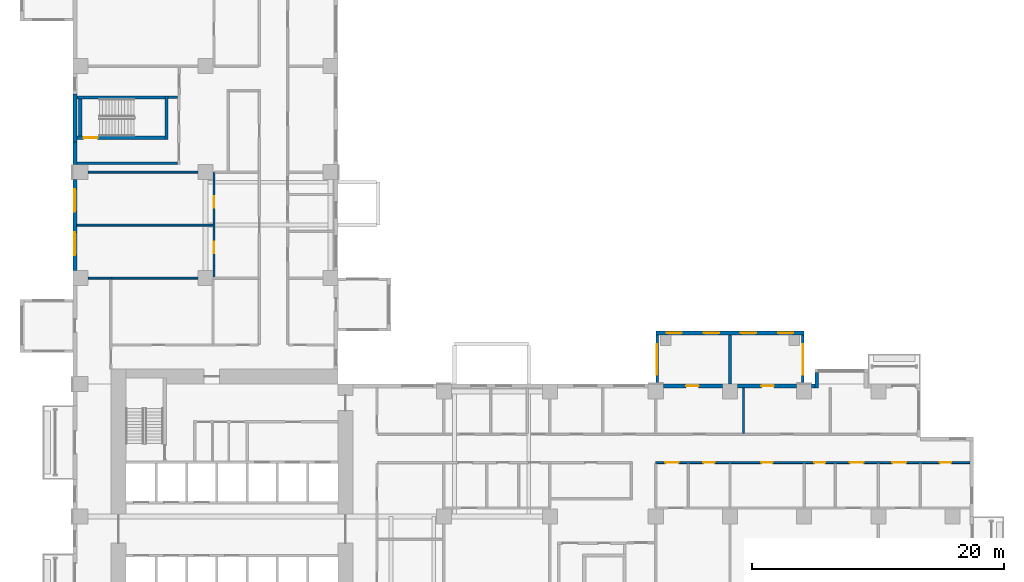
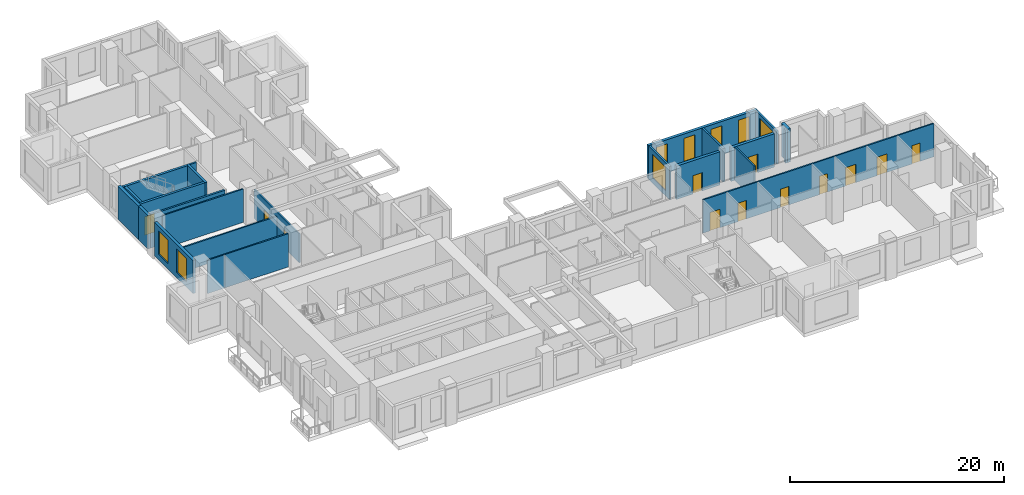
# One storey, part 6 of 15: 24 walls, 12 doors, 8 windows, 20 openings.
"""IFC4 building model written with IfcOpenShell, lengths in metres."""

from ifc_helpers import new_model, si_unit, direction, frame, frame_2d, origin, place, context, subcontext, project, spatial, rectangle, extrude, source, transform, mapped, material, layer, layer_set, type_object, element, fill, save


model = new_model("IFC4")

# Units and contexts
model_context = context("Model", 3, precision=1e-05, world=origin(), true_north=direction((0.0, 1.0)))
body_context = subcontext(model_context, "Body", "Model", "MODEL_VIEW")
ifc_project = project(units=[si_unit("LENGTHUNIT", "METRE"), si_unit("AREAUNIT", "SQUARE_METRE"), si_unit("VOLUMEUNIT", "CUBIC_METRE"), si_unit("PLANEANGLEUNIT", "RADIAN"), si_unit("MASSUNIT", "GRAM", prefix="KILO")], contexts=[model_context])

# Site, building, storey
site_placement = place(None, origin())
site = spatial("IfcSite", under=ifc_project, at=site_placement, CompositionType="ELEMENT")
building_placement = place(site_placement, origin())
building = spatial("IfcBuilding", under=site, at=building_placement, Name="Aurelian Terraces", CompositionType="ELEMENT")
storey_placement = place(building_placement, frame((0.0, 0.0, 61.5)))
storey = spatial("IfcBuildingStorey", under=building, at=storey_placement, Name="L12", CompositionType="ELEMENT", Elevation=61.5)

# Wall
ifc_material_1 = material(Name="Gypsum board on steel studs", Category="steel")
ifc_layer_1 = layer(ifc_material_1, 0.15)
ifc_layer_set_1 = layer_set([ifc_layer_1], Name="Partition 150")
wall_type_1 = type_object("IfcWallType", Name="Partition 150", PredefinedType="PARTITIONING", material=ifc_layer_set_1)
wall_1_placement = place(storey_placement, frame((11.1, 33.6, 0.0), z_axis=(0.0, 0.0, 1.0), x_axis=(-1.0, 0.0, 0.0)))
element("IfcWall", 1, at=wall_1_placement, inside=storey, type_object=wall_type_1, Name="Partition", PredefinedType="PARTITIONING", context=body_context, shape_type="SweptSolid", body=[
    extrude(rectangle(XDim=10.8, YDim=0.15, at=frame_2d((5.4, 0.0))), origin(), (0.0, 0.0, 1.0), 2.8),
])

# Wall, openings, windows
ifc_material_2 = material(Name="Terracotta rainscreen cladding", Category="masonry")
ifc_layer_2 = layer(ifc_material_2, 0.3)
ifc_layer_set_2 = layer_set([ifc_layer_2], Name="EW-300")
wall_type_2 = type_object("IfcWallType", Name="EW-300", PredefinedType="STANDARD", material=ifc_layer_set_2)
shared_shape_1 = source(origin(), body_context, "Body", "SweptSolid", [
    extrude(rectangle(XDim=7.2, YDim=0.3, at=frame_2d((3.6, 0.0))), origin(), (0.0, 0.0, 1.0), 3.8),
])
wall_2_placement = place(storey_placement, frame((0.15, 37.2, 0.0), z_axis=(0.0, 0.0, 1.0), x_axis=(0.0, -1.0, 0.0)))
wall_2 = element("IfcWall", 2, at=wall_2_placement, inside=storey, type_object=wall_type_2, Name="External wall L12 F14.38", PredefinedType="STANDARD", context=body_context, shape_type="MappedRepresentation", body=[
    mapped(shared_shape_1, transform((0.0, 0.0, 0.0), scale=1.0)),
])
shared_shape_2 = source(origin(), body_context, "Body", "SweptSolid", [
    extrude(rectangle(XDim=1.8, YDim=2.7, at=frame_2d((0.9, 1.35))), frame((0.0, 0.16, 0.0), z_axis=(0.0, -1.0, 0.0), x_axis=(1.0, 0.0, 0.0)), (0.0, 0.0, 1.0), 0.32),
])
opening_1_placement = place(wall_2_placement, frame((0.7375, 0.0, 0.6)))
opening_1 = element("IfcOpeningElement", 3, at=opening_1_placement, cuts=wall_2, Name="Opening W1827", PredefinedType="OPENING", context=body_context, shape_type="MappedRepresentation", body=[
    mapped(shared_shape_2, transform((0.0, 0.0, 0.0), scale=1.0)),
])
opening_2_placement = place(wall_2_placement, frame((4.175, 0.0, 0.6)))
opening_2 = element("IfcOpeningElement", 4, at=opening_2_placement, cuts=wall_2, Name="Opening W1827", PredefinedType="OPENING", context=body_context, shape_type="MappedRepresentation", body=[
    mapped(shared_shape_2, transform((0.0, 0.0, 0.0), scale=1.0)),
])
ifc_material_3 = material(Name="Clear glazing", Category="glass")
window_type_1 = type_object("IfcWindowType", Name="W-1800x2700", PartitioningType="SINGLE_PANEL", PredefinedType="WINDOW", material=ifc_material_3)
shared_shape_3 = source(origin(), body_context, "Body", "SweptSolid", [
    extrude(rectangle(XDim=1.8, YDim=2.7, at=frame_2d((0.9, 1.35))), frame((0.0, 0.03, 0.0), z_axis=(0.0, -1.0, 0.0), x_axis=(1.0, 0.0, 0.0)), (0.0, 0.0, 1.0), 0.06),
])
window_1_placement = place(opening_1_placement, origin())
window_1 = element("IfcWindow", 5, at=window_1_placement, inside=storey, type_object=window_type_1, Name="Window L12 L12-F14-38-P6.1", OverallHeight=2.7, OverallWidth=1.8, PartitioningType="SINGLE_PANEL", PredefinedType="WINDOW", context=body_context, shape_type="MappedRepresentation", body=[
    mapped(shared_shape_3, transform((0.0, 0.0, 0.0), scale=1.0)),
])
fill(opening_1, window_1)
window_2_placement = place(opening_2_placement, origin())
window_2 = element("IfcWindow", 6, at=window_2_placement, inside=storey, type_object=window_type_1, Name="Window L12 L12-F14-38-P6.2", OverallHeight=2.7, OverallWidth=1.8, PartitioningType="SINGLE_PANEL", PredefinedType="WINDOW", context=body_context, shape_type="MappedRepresentation", body=[
    mapped(shared_shape_3, transform((0.0, 0.0, 0.0), scale=1.0)),
])
fill(opening_2, window_2)

# Wall, opening, door
shared_shape_4 = source(origin(), body_context, "Body", "SweptSolid", [
    extrude(rectangle(XDim=4.68, YDim=0.3, at=frame_2d((2.34, 0.0))), origin(), (0.0, 0.0, 1.0), 3.8),
])
wall_3_placement = place(storey_placement, frame((57.36, 20.85, 0.0), z_axis=(0.0, 0.0, 1.0), x_axis=(-1.0, 0.0, 0.0)))
wall_3 = element("IfcWall", 7, at=wall_3_placement, inside=storey, type_object=wall_type_2, Name="External wall L12 F07.22", PredefinedType="STANDARD", context=body_context, shape_type="MappedRepresentation", body=[
    mapped(shared_shape_4, transform((0.0, 0.0, 0.0), scale=1.0)),
])
shared_shape_5 = source(origin(), body_context, "Body", "SweptSolid", [
    extrude(rectangle(XDim=1.0, YDim=2.1, at=frame_2d((0.5, 1.05))), frame((0.0, 0.16, 0.0), z_axis=(0.0, -1.0, 0.0), x_axis=(1.0, 0.0, 0.0)), (0.0, 0.0, 1.0), 0.32),
])
opening_3_placement = place(wall_3_placement, frame((1.7933, 0.0, 0.0)))
opening_3 = element("IfcOpeningElement", 8, at=opening_3_placement, cuts=wall_3, Name="Opening 812006", PredefinedType="OPENING", context=body_context, shape_type="MappedRepresentation", body=[
    mapped(shared_shape_5, transform((0.0, 0.0, 0.0), scale=1.0)),
])
ifc_material_4 = material(Name="Timber door leaf", Category="wood")
door_type_1 = type_object("IfcDoorType", Name="Room door 1000x2100 left", OperationType="SINGLE_SWING_LEFT", PredefinedType="DOOR", material=ifc_material_4)
shared_shape_6 = source(origin(), body_context, "Body", "SweptSolid", [
    extrude(rectangle(XDim=1.0, YDim=2.1, at=frame_2d((0.5, 1.05))), frame((0.0, 0.025, 0.0), z_axis=(0.0, -1.0, 0.0), x_axis=(1.0, 0.0, 0.0)), (0.0, 0.0, 1.0), 0.05),
])
door_1_placement = place(opening_3_placement, origin())
door_1 = element("IfcDoor", 9, at=door_1_placement, inside=storey, type_object=door_type_1, Name="Door 812006", OperationType="SINGLE_SWING_LEFT", OverallHeight=2.1, OverallWidth=1.0, PredefinedType="DOOR", context=body_context, shape_type="MappedRepresentation", body=[
    mapped(shared_shape_6, transform((0.0, 0.0, 0.0), scale=1.0)),
])
fill(opening_3, door_1)

wall_4_placement = place(storey_placement, frame((51.48, 20.85, 0.0), z_axis=(0.0, 0.0, 1.0), x_axis=(-1.0, 0.0, 0.0)))
wall_4 = element("IfcWall", 10, at=wall_4_placement, inside=storey, type_object=wall_type_2, Name="External wall L12 F07.22", PredefinedType="STANDARD", context=body_context, shape_type="MappedRepresentation", body=[
    mapped(shared_shape_4, transform((0.0, 0.0, 0.0), scale=1.0)),
])
opening_4_placement = place(wall_4_placement, frame((1.8867, 0.0, 0.0)))
opening_4 = element("IfcOpeningElement", 11, at=opening_4_placement, cuts=wall_4, Name="Opening 812007", PredefinedType="OPENING", context=body_context, shape_type="MappedRepresentation", body=[
    mapped(shared_shape_5, transform((0.0, 0.0, 0.0), scale=1.0)),
])
door_2_placement = place(opening_4_placement, origin())
door_2 = element("IfcDoor", 12, at=door_2_placement, inside=storey, type_object=door_type_1, Name="Door 812007", OperationType="SINGLE_SWING_LEFT", OverallHeight=2.1, OverallWidth=1.0, PredefinedType="DOOR", context=body_context, shape_type="MappedRepresentation", body=[
    mapped(shared_shape_6, transform((0.0, 0.0, 0.0), scale=1.0)),
])
fill(opening_4, door_2)

# Walls
shared_shape_7 = source(origin(), body_context, "Body", "SweptSolid", [
    extrude(rectangle(XDim=1.2, YDim=0.3, at=frame_2d((0.6, 0.0))), origin(), (0.0, 0.0, 1.0), 3.8),
])
wall_5_placement = place(storey_placement, frame((58.95, 20.7, 0.0), z_axis=(0.0, 0.0, 1.0), x_axis=(0.0, 1.0, 0.0)))
element("IfcWall", 13, at=wall_5_placement, inside=storey, type_object=wall_type_2, Name="Bay return L12 F07.21.2", PredefinedType="STANDARD", context=body_context, shape_type="MappedRepresentation", body=[
    mapped(shared_shape_7, transform((0.0, 0.0, 0.0), scale=1.0)),
])
shared_shape_8 = source(origin(), body_context, "Body", "SweptSolid", [
    extrude(rectangle(XDim=0.24, YDim=0.3, at=frame_2d((0.12, 0.0))), origin(), (0.0, 0.0, 1.0), 3.8),
])
wall_6_placement = place(storey_placement, frame((58.8, 20.85, 0.0), z_axis=(0.0, 0.0, 1.0), x_axis=(-1.0, 0.0, 0.0)))
element("IfcWall", 14, at=wall_6_placement, inside=storey, type_object=wall_type_2, Name="External wall L12 F07.22", PredefinedType="STANDARD", context=body_context, shape_type="MappedRepresentation", body=[
    mapped(shared_shape_8, transform((0.0, 0.0, 0.0), scale=1.0)),
])
ifc_material_5 = material(Name="Concrete fc' 40 MPa", Category="concrete")
ifc_layer_3 = layer(ifc_material_5, 0.3)
ifc_layer_set_3 = layer_set([ifc_layer_3], Name="STAIR BAY WALL 300")
wall_type_3 = type_object("IfcWallType", Name="STAIR BAY WALL 300", PredefinedType="SOLIDWALL", material=ifc_layer_set_3)
shared_shape_9 = source(origin(), body_context, "Body", "SweptSolid", [
    extrude(rectangle(XDim=3.8, YDim=0.3, at=frame_2d((1.9, 0.0))), origin(), (0.0, 0.0, 1.0), 3.8),
])
wall_7_placement = place(storey_placement, frame((0.15, 44.0, 0.0), z_axis=(0.0, 0.0, 1.0), x_axis=(0.0, -1.0, 0.0)))
element("IfcWall", 15, at=wall_7_placement, inside=storey, type_object=wall_type_3, Name="Stair bay wall L12 F14.38", PredefinedType="SOLIDWALL", context=body_context, shape_type="MappedRepresentation", body=[
    mapped(shared_shape_9, transform((0.0, 0.0, 0.0), scale=1.0)),
])
shared_shape_10 = source(origin(), body_context, "Body", "SweptSolid", [
    extrude(rectangle(XDim=1.8, YDim=0.3, at=frame_2d((0.9, 0.0))), origin(), (0.0, 0.0, 1.0), 3.8),
])
wall_8_placement = place(storey_placement, frame((0.15, 40.2, 0.0), z_axis=(0.0, 0.0, 1.0), x_axis=(0.0, -1.0, 0.0)))
element("IfcWall", 16, at=wall_8_placement, inside=storey, type_object=wall_type_2, Name="External wall L12 F14.38", PredefinedType="STANDARD", context=body_context, shape_type="MappedRepresentation", body=[
    mapped(shared_shape_10, transform((0.0, 0.0, 0.0), scale=1.0)),
])

# Wall, opening, window
ifc_layer_4 = layer(ifc_material_5, 0.2)
ifc_layer_set_4 = layer_set([ifc_layer_4], Name="BOX BEARING WALL 200")
wall_type_4 = type_object("IfcWallType", Name="BOX BEARING WALL 200", PredefinedType="SOLIDWALL", material=ifc_layer_set_4)
shared_shape_11 = source(origin(), body_context, "Body", "SweptSolid", [
    extrude(rectangle(XDim=3.9, YDim=0.2, at=frame_2d((1.95, 0.0))), origin(), (0.0, 0.0, 1.0), 3.79),
])
wall_9_placement = place(storey_placement, frame((57.86, 21.0, 0.0), z_axis=(0.0, 0.0, 1.0), x_axis=(0.0, 1.0, 0.0)))
wall_9 = element("IfcWall", 17, at=wall_9_placement, inside=storey, type_object=wall_type_4, Name="Box return L12 K01.1", PredefinedType="SOLIDWALL", context=body_context, shape_type="MappedRepresentation", body=[
    mapped(shared_shape_11, transform((0.0, 0.0, 0.0), scale=1.0)),
])
shared_shape_12 = source(origin(), body_context, "Body", "SweptSolid", [
    extrude(rectangle(XDim=2.4, YDim=2.7, at=frame_2d((1.2, 1.35))), frame((0.0, 0.11, 0.0), z_axis=(0.0, -1.0, 0.0), x_axis=(1.0, 0.0, 0.0)), (0.0, 0.0, 1.0), 0.22),
])
opening_5_placement = place(wall_9_placement, frame((0.75, 0.0, 0.6)))
opening_5 = element("IfcOpeningElement", 18, at=opening_5_placement, cuts=wall_9, Name="Opening W2427", PredefinedType="OPENING", context=body_context, shape_type="MappedRepresentation", body=[
    mapped(shared_shape_12, transform((0.0, 0.0, 0.0), scale=1.0)),
])
window_type_2 = type_object("IfcWindowType", Name="W-2400x2700", PartitioningType="SINGLE_PANEL", PredefinedType="WINDOW", material=ifc_material_3)
shared_shape_13 = source(origin(), body_context, "Body", "SweptSolid", [
    extrude(rectangle(XDim=2.4, YDim=2.7, at=frame_2d((1.2, 1.35))), frame((0.0, 0.03, 0.0), z_axis=(0.0, -1.0, 0.0), x_axis=(1.0, 0.0, 0.0)), (0.0, 0.0, 1.0), 0.06),
])
window_3_placement = place(opening_5_placement, origin())
window_3 = element("IfcWindow", 19, at=window_3_placement, inside=storey, type_object=window_type_2, Name="Window L12 K01-S1", OverallHeight=2.7, OverallWidth=2.4, PartitioningType="SINGLE_PANEL", PredefinedType="WINDOW", context=body_context, shape_type="MappedRepresentation", body=[
    mapped(shared_shape_13, transform((0.0, 0.0, 0.0), scale=1.0)),
])
fill(opening_5, window_3)

wall_10_placement = place(storey_placement, frame((46.3, 21.0, 0.0), z_axis=(0.0, 0.0, 1.0), x_axis=(0.0, 1.0, 0.0)))
wall_10 = element("IfcWall", 20, at=wall_10_placement, inside=storey, type_object=wall_type_4, Name="Box return L12 K01.2", PredefinedType="SOLIDWALL", context=body_context, shape_type="MappedRepresentation", body=[
    mapped(shared_shape_11, transform((0.0, 0.0, 0.0), scale=1.0)),
])
opening_6_placement = place(wall_10_placement, frame((0.75, 0.0, 0.6)))
opening_6 = element("IfcOpeningElement", 21, at=opening_6_placement, cuts=wall_10, Name="Opening W2427", PredefinedType="OPENING", context=body_context, shape_type="MappedRepresentation", body=[
    mapped(shared_shape_12, transform((0.0, 0.0, 0.0), scale=1.0)),
])
window_4_placement = place(opening_6_placement, origin())
window_4 = element("IfcWindow", 22, at=window_4_placement, inside=storey, type_object=window_type_2, Name="Window L12 K01-S2", OverallHeight=2.7, OverallWidth=2.4, PartitioningType="SINGLE_PANEL", PredefinedType="WINDOW", context=body_context, shape_type="MappedRepresentation", body=[
    mapped(shared_shape_13, transform((0.0, 0.0, 0.0), scale=1.0)),
])
fill(opening_6, window_4)

# Wall, openings, windows
ifc_layer_5 = layer(ifc_material_5, 0.3)
ifc_layer_set_5 = layer_set([ifc_layer_5], Name="BOX BEARING WALL 300")
wall_type_5 = type_object("IfcWallType", Name="BOX BEARING WALL 300", PredefinedType="SOLIDWALL", material=ifc_layer_set_5)
shared_shape_14 = source(origin(), body_context, "Body", "SweptSolid", [
    extrude(rectangle(XDim=11.76, YDim=0.3, at=frame_2d((5.88, 0.0))), origin(), (0.0, 0.0, 1.0), 3.79),
])
wall_11_placement = place(storey_placement, frame((57.96, 25.05, 0.0), z_axis=(0.0, 0.0, 1.0), x_axis=(-1.0, 0.0, 0.0)))
wall_11 = element("IfcWall", 23, at=wall_11_placement, inside=storey, type_object=wall_type_5, Name="Box wall L12 K01", PredefinedType="SOLIDWALL", context=body_context, shape_type="MappedRepresentation", body=[
    mapped(shared_shape_14, transform((0.0, 0.0, 0.0), scale=1.0)),
])
shared_shape_15 = source(origin(), body_context, "Body", "SweptSolid", [
    extrude(rectangle(XDim=1.2, YDim=2.7, at=frame_2d((0.6, 1.35))), frame((0.0, 0.16, 0.0), z_axis=(0.0, -1.0, 0.0), x_axis=(1.0, 0.0, 0.0)), (0.0, 0.0, 1.0), 0.32),
])
opening_7_placement = place(wall_11_placement, frame((0.87, 0.0, 0.6)))
opening_7 = element("IfcOpeningElement", 24, at=opening_7_placement, cuts=wall_11, Name="Opening W1227", PredefinedType="OPENING", context=body_context, shape_type="MappedRepresentation", body=[
    mapped(shared_shape_15, transform((0.0, 0.0, 0.0), scale=1.0)),
])
opening_8_placement = place(wall_11_placement, frame((3.81, 0.0, 0.6)))
opening_8 = element("IfcOpeningElement", 25, at=opening_8_placement, cuts=wall_11, Name="Opening W1227", PredefinedType="OPENING", context=body_context, shape_type="MappedRepresentation", body=[
    mapped(shared_shape_15, transform((0.0, 0.0, 0.0), scale=1.0)),
])
opening_9_placement = place(wall_11_placement, frame((6.75, 0.0, 0.6)))
opening_9 = element("IfcOpeningElement", 26, at=opening_9_placement, cuts=wall_11, Name="Opening W1227", PredefinedType="OPENING", context=body_context, shape_type="MappedRepresentation", body=[
    mapped(shared_shape_15, transform((0.0, 0.0, 0.0), scale=1.0)),
])
opening_10_placement = place(wall_11_placement, frame((9.69, 0.0, 0.6)))
opening_10 = element("IfcOpeningElement", 27, at=opening_10_placement, cuts=wall_11, Name="Opening W1227", PredefinedType="OPENING", context=body_context, shape_type="MappedRepresentation", body=[
    mapped(shared_shape_15, transform((0.0, 0.0, 0.0), scale=1.0)),
])
window_type_3 = type_object("IfcWindowType", Name="W-1200x2700", PartitioningType="SINGLE_PANEL", PredefinedType="WINDOW", material=ifc_material_3)
shared_shape_16 = source(origin(), body_context, "Body", "SweptSolid", [
    extrude(rectangle(XDim=1.2, YDim=2.7, at=frame_2d((0.6, 1.35))), frame((0.0, 0.03, 0.0), z_axis=(0.0, -1.0, 0.0), x_axis=(1.0, 0.0, 0.0)), (0.0, 0.0, 1.0), 0.06),
])
window_5_placement = place(opening_7_placement, origin())
window_5 = element("IfcWindow", 28, at=window_5_placement, inside=storey, type_object=window_type_3, Name="Window L12 K01-F1", OverallHeight=2.7, OverallWidth=1.2, PartitioningType="SINGLE_PANEL", PredefinedType="WINDOW", context=body_context, shape_type="MappedRepresentation", body=[
    mapped(shared_shape_16, transform((0.0, 0.0, 0.0), scale=1.0)),
])
fill(opening_7, window_5)
window_6_placement = place(opening_8_placement, origin())
window_6 = element("IfcWindow", 29, at=window_6_placement, inside=storey, type_object=window_type_3, Name="Window L12 K01-F2", OverallHeight=2.7, OverallWidth=1.2, PartitioningType="SINGLE_PANEL", PredefinedType="WINDOW", context=body_context, shape_type="MappedRepresentation", body=[
    mapped(shared_shape_16, transform((0.0, 0.0, 0.0), scale=1.0)),
])
fill(opening_8, window_6)
window_7_placement = place(opening_9_placement, origin())
window_7 = element("IfcWindow", 30, at=window_7_placement, inside=storey, type_object=window_type_3, Name="Window L12 K01-F3", OverallHeight=2.7, OverallWidth=1.2, PartitioningType="SINGLE_PANEL", PredefinedType="WINDOW", context=body_context, shape_type="MappedRepresentation", body=[
    mapped(shared_shape_16, transform((0.0, 0.0, 0.0), scale=1.0)),
])
fill(opening_9, window_7)
window_8_placement = place(opening_10_placement, origin())
window_8 = element("IfcWindow", 31, at=window_8_placement, inside=storey, type_object=window_type_3, Name="Window L12 K01-F4", OverallHeight=2.7, OverallWidth=1.2, PartitioningType="SINGLE_PANEL", PredefinedType="WINDOW", context=body_context, shape_type="MappedRepresentation", body=[
    mapped(shared_shape_16, transform((0.0, 0.0, 0.0), scale=1.0)),
])
fill(opening_10, window_8)

# Wall
shared_shape_17 = source(origin(), body_context, "Body", "SweptSolid", [
    extrude(rectangle(XDim=3.9, YDim=0.2, at=frame_2d((1.95, 0.0))), origin(), (0.0, 0.0, 1.0), 3.79),
])
wall_12_placement = place(storey_placement, frame((52.08, 21.0, 0.0), z_axis=(0.0, 0.0, 1.0), x_axis=(0.0, 1.0, 0.0)))
element("IfcWall", 32, at=wall_12_placement, inside=storey, type_object=wall_type_4, Name="Box partition L12 K01", PredefinedType="SOLIDWALL", context=body_context, shape_type="MappedRepresentation", body=[
    mapped(shared_shape_17, transform((0.0, 0.0, 0.0), scale=1.0)),
])

# Wall, opening, door
ifc_layer_6 = layer(ifc_material_5, 0.25)
ifc_layer_set_6 = layer_set([ifc_layer_6], Name="Stair enclosure wall 250")
wall_type_6 = type_object("IfcWallType", Name="Stair enclosure wall 250", PredefinedType="SOLIDWALL", material=ifc_layer_set_6)
shared_shape_18 = source(origin(), body_context, "Body", "SweptSolid", [
    extrude(rectangle(XDim=7.0, YDim=0.25, at=frame_2d((3.5, 0.0))), origin(), (0.0, 0.0, 1.0), 3.8),
])
wall_13_placement = place(storey_placement, frame((0.3, 40.525, 0.0), z_axis=(0.0, 0.0, 1.0), x_axis=(1.0, 0.0, 0.0)))
wall_13 = element("IfcWall", 33, at=wall_13_placement, inside=storey, type_object=wall_type_6, Name="L12 core wall ST-S3-W", PredefinedType="SOLIDWALL", context=body_context, shape_type="MappedRepresentation", body=[
    mapped(shared_shape_18, transform((0.0, 0.0, 0.0), scale=1.0)),
])
shared_shape_19 = source(origin(), body_context, "Body", "SweptSolid", [
    extrude(rectangle(XDim=1.1, YDim=2.1, at=frame_2d((0.55, 1.05))), frame((0.0, 0.135, 0.0), z_axis=(0.0, -1.0, 0.0), x_axis=(1.0, 0.0, 0.0)), (0.0, 0.0, 1.0), 0.27),
])
opening_11_placement = place(wall_13_placement, frame((0.55, 0.0, 0.0)))
opening_11 = element("IfcOpeningElement", 34, at=opening_11_placement, cuts=wall_13, Name="Opening 61518", PredefinedType="OPENING", context=body_context, shape_type="MappedRepresentation", body=[
    mapped(shared_shape_19, transform((0.0, 0.0, 0.0), scale=1.0)),
])
ifc_material_6 = material(Name="Steel door leaf", Category="steel")
door_type_2 = type_object("IfcDoorType", Name="Core fire door 1100x2100 right", OperationType="SINGLE_SWING_RIGHT", PredefinedType="DOOR", material=ifc_material_6)
shared_shape_20 = source(origin(), body_context, "Body", "SweptSolid", [
    extrude(rectangle(XDim=1.1, YDim=2.1, at=frame_2d((0.55, 1.05))), frame((0.0, 0.025, 0.0), z_axis=(0.0, -1.0, 0.0), x_axis=(1.0, 0.0, 0.0)), (0.0, 0.0, 1.0), 0.05),
])
door_3_placement = place(opening_11_placement, origin())
door_3 = element("IfcDoor", 35, at=door_3_placement, inside=storey, type_object=door_type_2, Name="Stair door 61518", OperationType="SINGLE_SWING_RIGHT", OverallHeight=2.1, OverallWidth=1.1, PredefinedType="DOOR", context=body_context, shape_type="MappedRepresentation", body=[
    mapped(shared_shape_20, transform((0.0, 0.0, 0.0), scale=1.0)),
])
fill(opening_11, door_3)

# Walls
wall_14_placement = place(storey_placement, frame((0.3, 43.725, 0.0), z_axis=(0.0, 0.0, 1.0), x_axis=(1.0, 0.0, 0.0)))
element("IfcWall", 36, at=wall_14_placement, inside=storey, type_object=wall_type_6, Name="L12 core wall ST-S3-E", PredefinedType="SOLIDWALL", context=body_context, shape_type="MappedRepresentation", body=[
    mapped(shared_shape_18, transform((0.0, 0.0, 0.0), scale=1.0)),
])
shared_shape_21 = source(origin(), body_context, "Body", "SweptSolid", [
    extrude(rectangle(XDim=3.45, YDim=0.25, at=frame_2d((1.725, 0.0))), origin(), (0.0, 0.0, 1.0), 3.8),
])
wall_15_placement = place(storey_placement, frame((7.425, 40.4, 0.0), z_axis=(0.0, 0.0, 1.0), x_axis=(0.0, 1.0, 0.0)))
element("IfcWall", 37, at=wall_15_placement, inside=storey, type_object=wall_type_6, Name="L12 core wall ST-S3-N", PredefinedType="SOLIDWALL", context=body_context, shape_type="MappedRepresentation", body=[
    mapped(shared_shape_21, transform((0.0, 0.0, 0.0), scale=1.0)),
])
shared_shape_22 = source(origin(), body_context, "Body", "SweptSolid", [
    extrude(rectangle(XDim=2.95, YDim=0.25, at=frame_2d((1.475, 0.0))), origin(), (0.0, 0.0, 1.0), 3.8),
])
wall_16_placement = place(storey_placement, frame((0.575, 40.65, 0.0), z_axis=(0.0, 0.0, 1.0), x_axis=(0.0, 1.0, 0.0)))
element("IfcWall", 38, at=wall_16_placement, inside=storey, type_object=wall_type_6, Name="L12 core wall ST-S3-SS", PredefinedType="SOLIDWALL", context=body_context, shape_type="MappedRepresentation", body=[
    mapped(shared_shape_22, transform((0.0, 0.0, 0.0), scale=1.0)),
])
ifc_layer_7 = layer(ifc_material_1, 0.2)
ifc_layer_set_7 = layer_set([ifc_layer_7], Name="Core partition 200")
wall_type_7 = type_object("IfcWallType", Name="Core partition 200", PredefinedType="PARTITIONING", material=ifc_layer_set_7)
shared_shape_23 = source(origin(), body_context, "Body", "SweptSolid", [
    extrude(rectangle(XDim=8.0, YDim=0.2, at=frame_2d((4.0, 0.0))), origin(), (0.0, 0.0, 1.0), 3.8),
])
wall_17_placement = place(storey_placement, frame((0.3, 38.5, 0.0), z_axis=(0.0, 0.0, 1.0), x_axis=(1.0, 0.0, 0.0)))
element("IfcWall", 39, at=wall_17_placement, inside=storey, type_object=wall_type_7, Name="L12 core wall ST-S3-VW", PredefinedType="PARTITIONING", context=body_context, shape_type="MappedRepresentation", body=[
    mapped(shared_shape_23, transform((0.0, 0.0, 0.0), scale=1.0)),
])
shared_shape_24 = source(origin(), body_context, "Body", "SweptSolid", [
    extrude(rectangle(XDim=0.75, YDim=0.2, at=frame_2d((0.375, 0.0))), origin(), (0.0, 0.0, 1.0), 3.8),
])
wall_18_placement = place(storey_placement, frame((7.55, 43.75, 0.0), z_axis=(0.0, 0.0, 1.0), x_axis=(1.0, 0.0, 0.0)))
element("IfcWall", 40, at=wall_18_placement, inside=storey, type_object=wall_type_7, Name="L12 core wall ST-S3-RE", PredefinedType="PARTITIONING", context=body_context, shape_type="MappedRepresentation", body=[
    mapped(shared_shape_24, transform((0.0, 0.0, 0.0), scale=1.0)),
])
shared_shape_25 = source(origin(), body_context, "Body", "SweptSolid", [
    extrude(rectangle(XDim=8.702, YDim=0.15, at=frame_2d((4.351, 0.0))), origin(), (0.0, 0.0, 1.0), 3.8),
])
wall_19_placement = place(storey_placement, frame((9.901, 37.8, 0.0), z_axis=(0.0, 0.0, 1.0), x_axis=(-1.0, 0.0, 0.0)))
element("IfcWall", 41, at=wall_19_placement, inside=storey, type_object=wall_type_1, Name="Partition", PredefinedType="PARTITIONING", context=body_context, shape_type="MappedRepresentation", body=[
    mapped(shared_shape_25, transform((0.0, 0.0, 0.0), scale=1.0)),
])
shared_shape_26 = source(origin(), body_context, "Body", "SweptSolid", [
    extrude(rectangle(XDim=3.6, YDim=0.15, at=frame_2d((1.8, 0.0))), origin(), (0.0, 0.0, 1.0), 3.8),
])
wall_20_placement = place(storey_placement, frame((53.15, 20.7, 0.0), z_axis=(0.0, 0.0, 1.0), x_axis=(0.0, -1.0, 0.0)))
element("IfcWall", 42, at=wall_20_placement, inside=storey, type_object=wall_type_1, Name="Partition", PredefinedType="PARTITIONING", context=body_context, shape_type="MappedRepresentation", body=[
    mapped(shared_shape_26, transform((0.0, 0.0, 0.0), scale=1.0)),
])

# Wall, openings, doors
ifc_layer_8 = layer(ifc_material_1, 0.15)
ifc_layer_set_8 = layer_set([ifc_layer_8], Name="Fire partition 150")
wall_type_8 = type_object("IfcWallType", Name="Fire partition 150", PredefinedType="PARTITIONING", material=ifc_layer_set_8)
shared_shape_27 = source(origin(), body_context, "Body", "SweptSolid", [
    extrude(rectangle(XDim=24.9, YDim=0.15, at=frame_2d((12.45, 0.0))), origin(), (0.0, 0.0, 1.0), 3.8),
])
wall_21_placement = place(storey_placement, frame((71.1, 14.775, 0.0), z_axis=(0.0, 0.0, 1.0), x_axis=(-1.0, 0.0, 0.0)))
wall_21 = element("IfcWall", 43, at=wall_21_placement, inside=storey, type_object=wall_type_8, Name="Corridor wall", PredefinedType="PARTITIONING", context=body_context, shape_type="MappedRepresentation", body=[
    mapped(shared_shape_27, transform((0.0, 0.0, 0.0), scale=1.0)),
])
shared_shape_28 = source(origin(), body_context, "Body", "SweptSolid", [
    extrude(rectangle(XDim=1.1, YDim=2.1, at=frame_2d((0.55, 1.05))), frame((0.0, 0.085, 0.0), z_axis=(0.0, -1.0, 0.0), x_axis=(1.0, 0.0, 0.0)), (0.0, 0.0, 1.0), 0.17),
])
opening_12_placement = place(wall_21_placement, frame((23.0658, 0.0, 0.0)))
opening_12 = element("IfcOpeningElement", 44, at=opening_12_placement, cuts=wall_21, Name="Opening 712011", PredefinedType="OPENING", context=body_context, shape_type="MappedRepresentation", body=[
    mapped(shared_shape_28, transform((0.0, 0.0, 0.0), scale=1.0)),
])
shared_shape_29 = source(origin(), body_context, "Body", "SweptSolid", [
    extrude(rectangle(XDim=0.9, YDim=2.1, at=frame_2d((0.45, 1.05))), frame((0.0, 0.085, 0.0), z_axis=(0.0, -1.0, 0.0), x_axis=(1.0, 0.0, 0.0)), (0.0, 0.0, 1.0), 0.17),
])
opening_13_placement = place(wall_21_placement, frame((20.2258, 0.0, 0.0)))
opening_13 = element("IfcOpeningElement", 45, at=opening_13_placement, cuts=wall_21, Name="Opening 712013", PredefinedType="OPENING", context=body_context, shape_type="MappedRepresentation", body=[
    mapped(shared_shape_29, transform((0.0, 0.0, 0.0), scale=1.0)),
])
opening_14_placement = place(wall_21_placement, frame((8.4202, 0.0, 0.0)))
opening_14 = element("IfcOpeningElement", 46, at=opening_14_placement, cuts=wall_21, Name="Opening 712014", PredefinedType="OPENING", context=body_context, shape_type="MappedRepresentation", body=[
    mapped(shared_shape_28, transform((0.0, 0.0, 0.0), scale=1.0)),
])
opening_15_placement = place(wall_21_placement, frame((15.63, 0.0, 0.0)))
opening_15 = element("IfcOpeningElement", 47, at=opening_15_placement, cuts=wall_21, Name="Opening 712016", PredefinedType="OPENING", context=body_context, shape_type="MappedRepresentation", body=[
    mapped(shared_shape_29, transform((0.0, 0.0, 0.0), scale=1.0)),
])
opening_16_placement = place(wall_21_placement, frame((11.4602, 0.0, 0.0)))
opening_16 = element("IfcOpeningElement", 48, at=opening_16_placement, cuts=wall_21, Name="Opening 712017", PredefinedType="OPENING", context=body_context, shape_type="MappedRepresentation", body=[
    mapped(shared_shape_29, transform((0.0, 0.0, 0.0), scale=1.0)),
])
opening_17_placement = place(wall_21_placement, frame((5.0508, 0.0, 0.0)))
opening_17 = element("IfcOpeningElement", 49, at=opening_17_placement, cuts=wall_21, Name="Opening 712018", PredefinedType="OPENING", context=body_context, shape_type="MappedRepresentation", body=[
    mapped(shared_shape_28, transform((0.0, 0.0, 0.0), scale=1.0)),
])
opening_18_placement = place(wall_21_placement, frame((1.4833, 0.0, 0.0)))
opening_18 = element("IfcOpeningElement", 50, at=opening_18_placement, cuts=wall_21, Name="Opening 712020", PredefinedType="OPENING", context=body_context, shape_type="MappedRepresentation", body=[
    mapped(shared_shape_29, transform((0.0, 0.0, 0.0), scale=1.0)),
])
door_type_3 = type_object("IfcDoorType", Name="Room door 900x2100 right", OperationType="SINGLE_SWING_RIGHT", PredefinedType="DOOR", material=ifc_material_4)
shared_shape_30 = source(origin(), body_context, "Body", "SweptSolid", [
    extrude(rectangle(XDim=0.9, YDim=2.1, at=frame_2d((0.45, 1.05))), frame((0.0, 0.025, 0.0), z_axis=(0.0, -1.0, 0.0), x_axis=(1.0, 0.0, 0.0)), (0.0, 0.0, 1.0), 0.05),
])
door_4_placement = place(opening_13_placement, origin())
door_4 = element("IfcDoor", 51, at=door_4_placement, inside=storey, type_object=door_type_3, Name="Door 712013", OperationType="SINGLE_SWING_RIGHT", OverallHeight=2.1, OverallWidth=0.9, PredefinedType="DOOR", context=body_context, shape_type="MappedRepresentation", body=[
    mapped(shared_shape_30, transform((0.0, 0.0, 0.0), scale=1.0)),
])
fill(opening_13, door_4)
door_5_placement = place(opening_15_placement, origin())
door_5 = element("IfcDoor", 52, at=door_5_placement, inside=storey, type_object=door_type_3, Name="Door 712016", OperationType="SINGLE_SWING_RIGHT", OverallHeight=2.1, OverallWidth=0.9, PredefinedType="DOOR", context=body_context, shape_type="MappedRepresentation", body=[
    mapped(shared_shape_30, transform((0.0, 0.0, 0.0), scale=1.0)),
])
fill(opening_15, door_5)
door_type_4 = type_object("IfcDoorType", Name="Room door 900x2100 left", OperationType="SINGLE_SWING_LEFT", PredefinedType="DOOR", material=ifc_material_4)
door_6_placement = place(opening_16_placement, origin())
door_6 = element("IfcDoor", 53, at=door_6_placement, inside=storey, type_object=door_type_4, Name="Door 712017", OperationType="SINGLE_SWING_LEFT", OverallHeight=2.1, OverallWidth=0.9, PredefinedType="DOOR", context=body_context, shape_type="MappedRepresentation", body=[
    mapped(shared_shape_30, transform((0.0, 0.0, 0.0), scale=1.0)),
])
fill(opening_16, door_6)
door_7_placement = place(opening_18_placement, origin())
door_7 = element("IfcDoor", 54, at=door_7_placement, inside=storey, type_object=door_type_3, Name="Door 712020", OperationType="SINGLE_SWING_RIGHT", OverallHeight=2.1, OverallWidth=0.9, PredefinedType="DOOR", context=body_context, shape_type="MappedRepresentation", body=[
    mapped(shared_shape_30, transform((0.0, 0.0, 0.0), scale=1.0)),
])
fill(opening_18, door_7)
door_type_5 = type_object("IfcDoorType", Name="Room door 1100x2100 right", OperationType="SINGLE_SWING_RIGHT", PredefinedType="DOOR", material=ifc_material_4)
door_8_placement = place(opening_12_placement, origin())
door_8 = element("IfcDoor", 55, at=door_8_placement, inside=storey, type_object=door_type_5, Name="Door 712011", OperationType="SINGLE_SWING_RIGHT", OverallHeight=2.1, OverallWidth=1.1, PredefinedType="DOOR", context=body_context, shape_type="MappedRepresentation", body=[
    mapped(shared_shape_20, transform((0.0, 0.0, 0.0), scale=1.0)),
])
fill(opening_12, door_8)
door_9_placement = place(opening_14_placement, origin())
door_9 = element("IfcDoor", 56, at=door_9_placement, inside=storey, type_object=door_type_5, Name="Door 712014", OperationType="SINGLE_SWING_RIGHT", OverallHeight=2.1, OverallWidth=1.1, PredefinedType="DOOR", context=body_context, shape_type="MappedRepresentation", body=[
    mapped(shared_shape_20, transform((0.0, 0.0, 0.0), scale=1.0)),
])
fill(opening_14, door_9)
door_10_placement = place(opening_17_placement, origin())
door_10 = element("IfcDoor", 57, at=door_10_placement, inside=storey, type_object=door_type_5, Name="Door 712018", OperationType="SINGLE_SWING_RIGHT", OverallHeight=2.1, OverallWidth=1.1, PredefinedType="DOOR", context=body_context, shape_type="MappedRepresentation", body=[
    mapped(shared_shape_20, transform((0.0, 0.0, 0.0), scale=1.0)),
])
fill(opening_17, door_10)

# Walls
shared_shape_31 = source(origin(), body_context, "Body", "SweptSolid", [
    extrude(rectangle(XDim=6.826, YDim=0.15, at=frame_2d((3.413, 0.0))), origin(), (0.0, 0.0, 1.0), 3.8),
])
wall_22_placement = place(storey_placement, frame((9.901, 29.4, 0.0), z_axis=(0.0, 0.0, 1.0), x_axis=(-1.0, 0.0, 0.0)))
element("IfcWall", 58, at=wall_22_placement, inside=storey, type_object=wall_type_1, Name="Partition", PredefinedType="PARTITIONING", context=body_context, shape_type="MappedRepresentation", body=[
    mapped(shared_shape_31, transform((0.0, 0.0, 0.0), scale=1.0)),
])
shared_shape_32 = source(origin(), body_context, "Body", "SweptSolid", [
    extrude(rectangle(XDim=1.856, YDim=0.15, at=frame_2d((0.928, 0.0))), origin(), (0.0, 0.0, 1.0), 3.8),
])
wall_23_placement = place(storey_placement, frame((3.055, 29.4, 0.0), z_axis=(0.0, 0.0, 1.0), x_axis=(-1.0, 0.0, 0.0)))
element("IfcWall", 59, at=wall_23_placement, inside=storey, type_object=wall_type_1, Name="Partition", PredefinedType="PARTITIONING", context=body_context, shape_type="MappedRepresentation", body=[
    mapped(shared_shape_32, transform((0.0, 0.0, 0.0), scale=1.0)),
])

# Wall, openings, doors
shared_shape_33 = source(origin(), body_context, "Body", "SweptSolid", [
    extrude(rectangle(XDim=8.4, YDim=0.15, at=frame_2d((4.2, 0.0))), origin(), (0.0, 0.0, 1.0), 3.3),
])
wall_24_placement = place(storey_placement, frame((11.175, 29.4, 0.0), z_axis=(0.0, 0.0, 1.0), x_axis=(0.0, 1.0, 0.0)))
wall_24 = element("IfcWall", 60, at=wall_24_placement, inside=storey, type_object=wall_type_1, Name="Partition", PredefinedType="PARTITIONING", context=body_context, shape_type="MappedRepresentation", body=[
    mapped(shared_shape_33, transform((0.0, 0.0, 0.0), scale=1.0)),
])
opening_19_placement = place(wall_24_placement, frame((1.9625, 0.0, 0.0)))
opening_19 = element("IfcOpeningElement", 61, at=opening_19_placement, cuts=wall_24, Name="Opening 712036", PredefinedType="OPENING", context=body_context, shape_type="MappedRepresentation", body=[
    mapped(shared_shape_29, transform((0.0, 0.0, 0.0), scale=1.0)),
])
opening_20_placement = place(wall_24_placement, frame((5.5875, 0.0, 0.0)))
opening_20 = element("IfcOpeningElement", 62, at=opening_20_placement, cuts=wall_24, Name="Opening 712037", PredefinedType="OPENING", context=body_context, shape_type="MappedRepresentation", body=[
    mapped(shared_shape_29, transform((0.0, 0.0, 0.0), scale=1.0)),
])
door_11_placement = place(opening_19_placement, origin())
door_11 = element("IfcDoor", 63, at=door_11_placement, inside=storey, type_object=door_type_4, Name="Door 712036", OperationType="SINGLE_SWING_LEFT", OverallHeight=2.1, OverallWidth=0.9, PredefinedType="DOOR", context=body_context, shape_type="MappedRepresentation", body=[
    mapped(shared_shape_30, transform((0.0, 0.0, 0.0), scale=1.0)),
])
fill(opening_19, door_11)
door_12_placement = place(opening_20_placement, origin())
door_12 = element("IfcDoor", 64, at=door_12_placement, inside=storey, type_object=door_type_3, Name="Door 712037", OperationType="SINGLE_SWING_RIGHT", OverallHeight=2.1, OverallWidth=0.9, PredefinedType="DOOR", context=body_context, shape_type="MappedRepresentation", body=[
    mapped(shared_shape_30, transform((0.0, 0.0, 0.0), scale=1.0)),
])
fill(opening_20, door_12)

save(model, "model.ifc")
